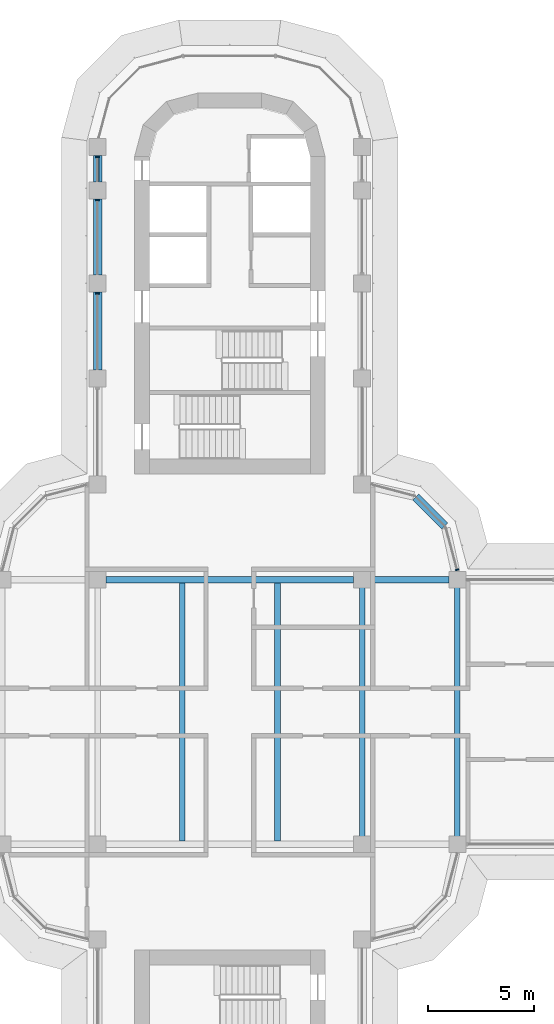
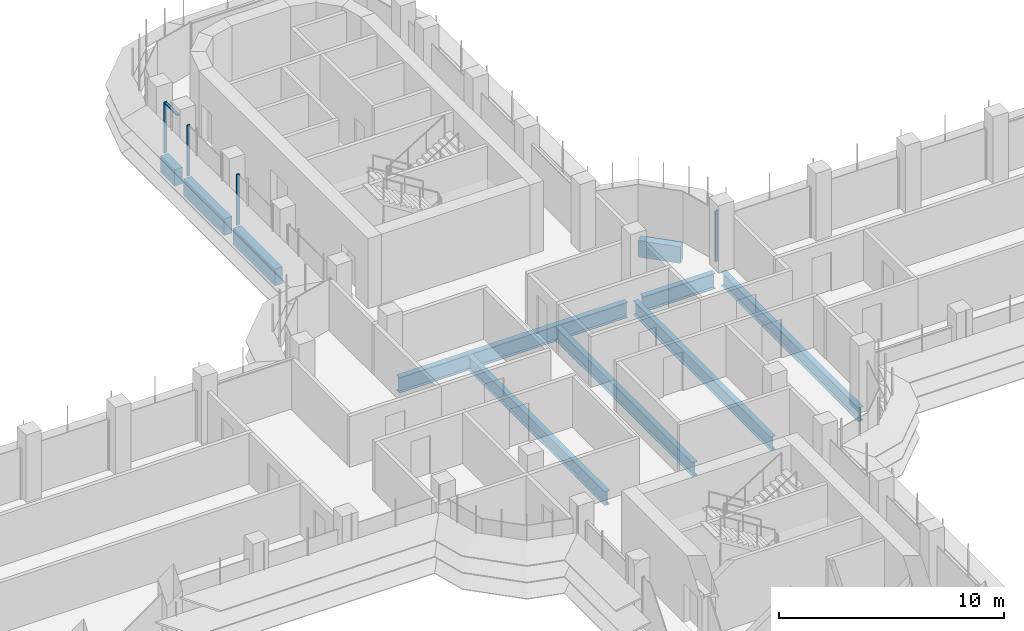
# One storey, part 7 of 20: 10 beams, 5 members, 2 elements without a shape of their own.
"""IFC4 building model written with IfcOpenShell, lengths in metres."""

from ifc_helpers import new_model, si_unit, direction, frame, origin, origin_2d, place, context, subcontext, project, spatial, polyline, rectangle, i_section, outline, extrude, source, transform, mapped, material, material_profile, profile_set, type_object, element, aggregate, save


model = new_model("IFC4")

# Units and contexts
model_context = context("Model", 3, precision=1e-05, world=origin(), true_north=direction((0.0, 1.0)))
body_context = subcontext(model_context, "Body", "Model", "MODEL_VIEW")
ifc_project = project(units=[si_unit("LENGTHUNIT", "METRE"), si_unit("AREAUNIT", "SQUARE_METRE"), si_unit("VOLUMEUNIT", "CUBIC_METRE"), si_unit("PLANEANGLEUNIT", "RADIAN"), si_unit("MASSUNIT", "GRAM", prefix="KILO")], contexts=[model_context])

# Site, building, storey
site_placement = place(None, origin())
site = spatial("IfcSite", under=ifc_project, at=site_placement, CompositionType="ELEMENT")
building_placement = place(site_placement, origin())
building = spatial("IfcBuilding", under=site, at=building_placement, Name="Zarbagh Exchange Tower", CompositionType="ELEMENT")
storey_placement = place(building_placement, frame((0.0, 0.0, 141.0)))
storey = spatial("IfcBuildingStorey", under=building, at=storey_placement, Name="L33", CompositionType="ELEMENT", Elevation=141.0)

# Beams
ifc_material_1 = material(Name="Steel ASTM A992 Gr 50", Category="steel")
ifc_material_profile_1 = material_profile(ifc_material_1, i_section(OverallWidth=0.26416015625, OverallDepth=0.749267578125, WebThickness=0.011962890625, FlangeThickness=0.015380859375, at=origin_2d()), Name="W30X90")
ifc_profile_set_1 = profile_set([ifc_material_profile_1], Name="Steel ASTM A992 Gr 50")
beam_type_1 = type_object("IfcBeamType", Name="Floor beam W30X90", PredefinedType="BEAM", material=ifc_profile_set_1)
for number, where, z_axis, x_axis, name in (
    (1, (-2.25, -6.10400390625, -0.524658203125), (0.0, 1.0, 0.0), (-1.0, 0.0, 0.0), "Steel floor beam"),
    (2, (2.25, -6.10400390625, -0.524658203125), (0.0, 1.0, 0.0), (-1.0, 0.0, 0.0), "Steel floor beam"),
    (3, (6.25, -6.10400390625, -0.524658203125), (0.0, 1.0, 0.0), (-1.0, 0.0, 0.0), "Steel floor beam"),
    (4, (10.75, -6.10400390625, -0.524658203125), (0.0, 1.0, 0.0), (-1.0, 0.0, 0.0), "Steel floor beam"),
):
    element("IfcBeam", number, at=place(storey_placement, frame(where, z_axis=z_axis, x_axis=x_axis)), inside=storey, type_object=beam_type_1, Name=name, PredefinedType="BEAM", context=body_context, shape_type="SweptSolid", body=[
        extrude(i_section(OverallWidth=0.26416015625, OverallDepth=0.749267578125, WebThickness=0.011962890625, FlangeThickness=0.015380859375, at=origin_2d()), origin(), (0.0, 0.0, 1.0), 12.2080078125),
    ])
ifc_material_profile_2 = material_profile(ifc_material_1, i_section(OverallWidth=0.2919921875, OverallDepth=0.835693359375, WebThickness=0.013916015625, FlangeThickness=0.018798828125, at=origin_2d()), Name="W33X118")
ifc_profile_set_2 = profile_set([ifc_material_profile_2], Name="Steel ASTM A992 Gr 50")
beam_type_2 = type_object("IfcBeamType", Name="Floor girder W33X118", PredefinedType="BEAM", material=ifc_profile_set_2)
beam_1_placement = place(storey_placement, frame((-5.85009765625, 6.25, -0.56787109375), z_axis=(1.0, 0.0, 0.0), x_axis=(0.0, 1.0, 0.0)))
element("IfcBeam", 5, at=beam_1_placement, inside=storey, type_object=beam_type_2, Name="Steel girder", PredefinedType="BEAM", context=body_context, shape_type="SweptSolid", body=[
    extrude(i_section(OverallWidth=0.2919921875, OverallDepth=0.835693359375, WebThickness=0.013916015625, FlangeThickness=0.018798828125, at=origin_2d()), origin(), (0.0, 0.0, 1.0), 11.7001953125),
])
beam_2_placement = place(storey_placement, frame((6.64990234375, 6.25, -0.56787109375), z_axis=(1.0, 0.0, 0.0), x_axis=(0.0, 1.0, 0.0)))
element("IfcBeam", 6, at=beam_2_placement, inside=storey, type_object=beam_type_2, Name="Steel girder", PredefinedType="BEAM", context=body_context, shape_type="SweptSolid", body=[
    extrude(i_section(OverallWidth=0.2919921875, OverallDepth=0.835693359375, WebThickness=0.013916015625, FlangeThickness=0.018798828125, at=origin_2d()), origin(), (0.0, 0.0, 1.0), 3.7001953125),
])
ifc_material_2 = material(Name="Concrete C50/60", Category="concrete")
ifc_material_profile_3 = material_profile(ifc_material_2, rectangle(XDim=0.39990234375, YDim=0.89990234375, at=origin_2d()), Name="RC spandrel beam 400 x 900 C50/60")
ifc_profile_set_3 = profile_set([ifc_material_profile_3], Name="Concrete C50/60")
beam_type_3 = type_object("IfcBeamType", Name="RC spandrel beam 400 x 900 C50/60", PredefinedType="SPANDREL", material=ifc_profile_set_3)
beam_3_placement = place(storey_placement, frame((-6.25, 16.14990234375, -0.60009765625), z_axis=(0.0, 1.0, 0.0), x_axis=(-1.0, 0.0, 0.0)))
element("IfcBeam", 7, at=beam_3_placement, inside=storey, type_object=beam_type_3, Name="RC spandrel beam", PredefinedType="SPANDREL", context=body_context, shape_type="SweptSolid", body=[
    extrude(rectangle(XDim=0.39990234375, YDim=0.89990234375, at=origin_2d()), origin(), (0.0, 0.0, 1.0), 3.7001953125),
])
beam_4_placement = place(storey_placement, frame((-6.25, 20.64990234375, -0.60009765625), z_axis=(0.0, 1.0, 0.0), x_axis=(-1.0, 0.0, 0.0)))
element("IfcBeam", 8, at=beam_4_placement, inside=storey, type_object=beam_type_3, Name="RC spandrel beam", PredefinedType="SPANDREL", context=body_context, shape_type="SweptSolid", body=[
    extrude(rectangle(XDim=0.39990234375, YDim=0.89990234375, at=origin_2d()), origin(), (0.0, 0.0, 1.0), 3.60009765625),
])
beam_5_placement = place(storey_placement, frame((-6.25, 25.050048828125, -0.60009765625), z_axis=(0.0, 1.0, 0.0), x_axis=(-1.0, 0.0, 0.0)))
element("IfcBeam", 9, at=beam_5_placement, inside=storey, type_object=beam_type_3, Name="RC spandrel beam", PredefinedType="SPANDREL", context=body_context, shape_type="SweptSolid", body=[
    extrude(rectangle(XDim=0.39990234375, YDim=0.89990234375, at=origin_2d()), origin(), (0.0, 0.0, 1.0), 1.25),
])
beam_6_placement = place(storey_placement, frame((8.782470703125, 10.15771484375, -0.60009765625), z_axis=(0.707106781187, -0.707106781187, 0.0), x_axis=(0.707106781187, 0.707106781187, 0.0)))
element("IfcBeam", 10, at=beam_6_placement, inside=storey, type_object=beam_type_3, Name="RC spandrel beam", PredefinedType="SPANDREL", context=body_context, shape_type="SweptSolid", body=[
    extrude(rectangle(XDim=0.39990234375, YDim=0.89990234375, at=origin_2d()), origin(), (0.0, 0.0, 1.0), 1.94482421875),
])

# Curtain wall, member
ifc_material_3 = material(Name="Anodised aluminium frame and glazing", Category="aluminium")
curtain_wall_type = type_object("IfcCurtainWallType", Name="CWB Ribbon glazing, upper zones", PredefinedType="NOTDEFINED", material=ifc_material_3)
curtain_wall_1_placement = place(storey_placement, origin())
curtain_wall_1 = element("IfcCurtainWall", 11, at=curtain_wall_1_placement, inside=storey, type_object=curtain_wall_type, Name="CWB17 curtain wall", PredefinedType="NOTDEFINED")
ifc_material_4 = material(Name="Anodised aluminium frame", Category="aluminium")
member_type_1 = type_object("IfcMemberType", Name="MUB Mullion, anodised aluminium frame", PredefinedType="MULLION", material=ifc_material_4)
shared_shape_1 = source(origin(), body_context, "Body", "SweptSolid", [
    extrude(outline(polyline([(0.0, -0.080078125), (0.06005859375, -0.080078125), (0.06005859375, 0.080078125), (0.0, 0.080078125), (0.0, -0.080078125)])), origin(), (0.0, 0.0, 1.0), 2.75),
])
placement = place(storey_placement, origin())
member_1 = element("IfcMember", 12, at=placement, type_object=member_type_1, Name="CWB17 mullion 1.1", PredefinedType="MULLION", context=body_context, shape_type="MappedRepresentation", body=[
    mapped(shared_shape_1, transform((10.74853515625, 6.68994140625, 0.0), x_axis=(-0.258824779902, 0.965924289636, 0.0), y_axis=(-0.965924289636, -0.258824779902, 0.0), z_axis=(0.0, 0.0, 1.0))),
])
aggregate(curtain_wall_1, [member_1])

# Curtain wall, members
curtain_wall_2_placement = place(storey_placement, origin())
curtain_wall_2 = element("IfcCurtainWall", 13, at=curtain_wall_2_placement, inside=storey, type_object=curtain_wall_type, Name="CWB28 curtain wall", PredefinedType="NOTDEFINED")
member_2 = element("IfcMember", 14, at=placement, type_object=member_type_1, Name="CWB28 mullion 1.1", PredefinedType="MULLION", context=body_context, shape_type="MappedRepresentation", body=[
    mapped(shared_shape_1, transform((-6.25, 26.260009765625, 0.0), x_axis=(0.0, -1.0, 0.0), y_axis=(1.0, 0.0, 0.0), z_axis=(0.0, 0.0, 1.0))),
])
member_3 = element("IfcMember", 15, at=placement, type_object=member_type_1, Name="CWB28 mullion 2.1", PredefinedType="MULLION", context=body_context, shape_type="MappedRepresentation", body=[
    mapped(shared_shape_1, transform((-6.25, 24.2099609375, 0.0), x_axis=(0.0, -1.0, 0.0), y_axis=(1.0, 0.0, 0.0), z_axis=(0.0, 0.0, 1.0))),
])
member_4 = element("IfcMember", 16, at=placement, type_object=member_type_1, Name="CWB28 mullion 3.1", PredefinedType="MULLION", context=body_context, shape_type="MappedRepresentation", body=[
    mapped(shared_shape_1, transform((-6.25, 19.81005859375, 0.0), x_axis=(0.0, -1.0, 0.0), y_axis=(1.0, 0.0, 0.0), z_axis=(0.0, 0.0, 1.0))),
])
member_type_2 = type_object("IfcMemberType", Name="TRB Transom, anodised aluminium frame", PredefinedType="USERDEFINED", material=ifc_material_4)
shared_shape_2 = source(origin(), body_context, "Body", "SweptSolid", [
    extrude(outline(polyline([(-0.06005859375, -0.06005859375), (0.0, -0.06005859375), (0.0, 0.06005859375), (-0.06005859375, 0.06005859375), (-0.06005859375, -0.06005859375)])), origin(), (0.0, 0.0, 1.0), 1.110107421875),
])
member_5 = element("IfcMember", 17, at=placement, type_object=member_type_2, Name="CWB28 transom 1.1", ObjectType="TRANSOM", PredefinedType="USERDEFINED", context=body_context, shape_type="MappedRepresentation", body=[
    mapped(shared_shape_2, transform((-6.25, 26.199951171875, 2.75), x_axis=(0.0, 0.0, 1.0), y_axis=(-1.0, 0.0, 0.0), z_axis=(0.0, -1.0, 0.0))),
])
aggregate(curtain_wall_2, [member_2, member_5, member_3, member_4])

save(model, "model.ifc")
